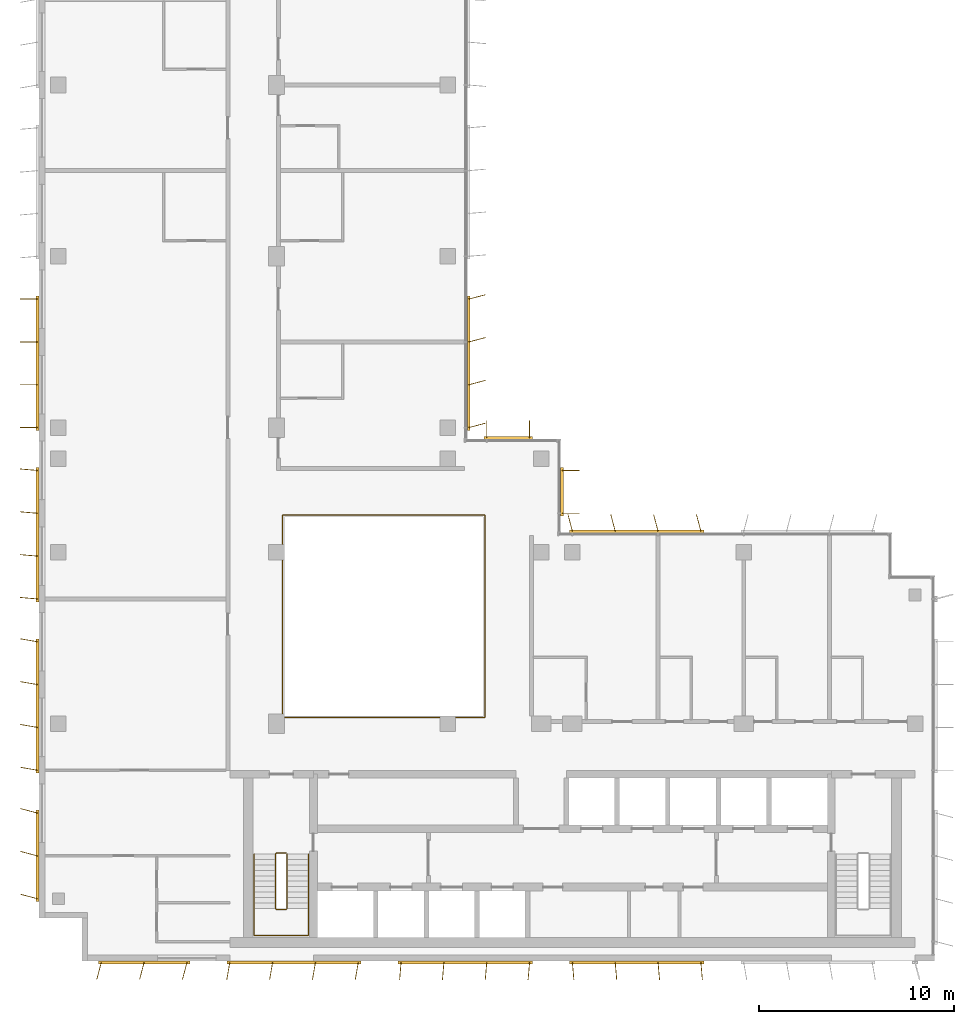
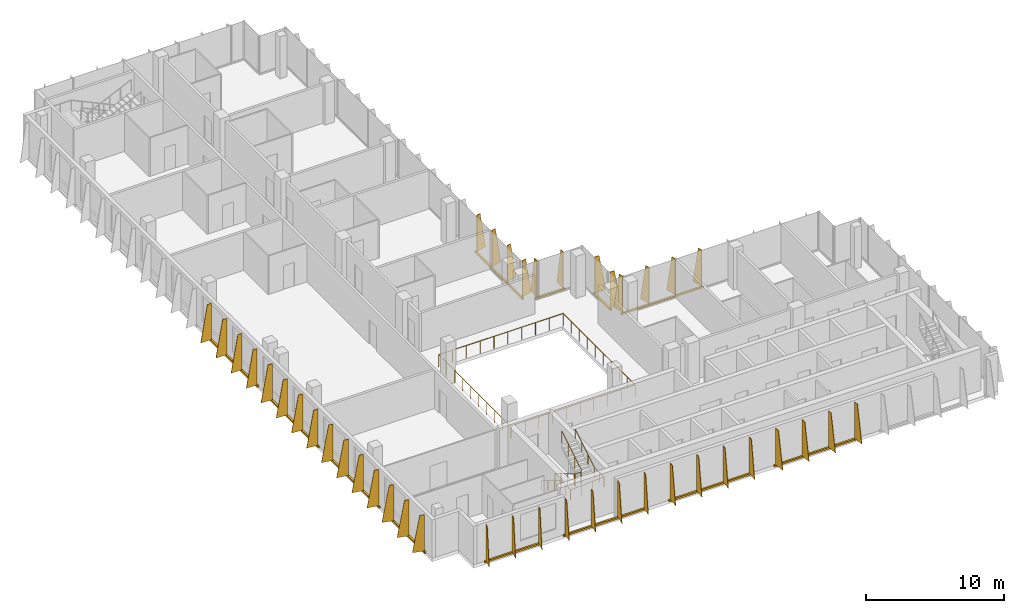
# One storey, part 13 of 15: 12 shading devices, 3 railings.
"""IFC4 building model written with IfcOpenShell, lengths in metres."""

from ifc_helpers import new_model, si_unit, direction, frame, origin, origin_2d, place, context, subcontext, project, spatial, polyline, rectangle, circle, outline, extrude, source, transform, mapped, material, layer, layer_set, type_object, element, save


model = new_model("IFC4")

# Units and contexts
model_context = context("Model", 3, precision=1e-05, world=origin(), true_north=direction((0.0, 1.0)))
body_context = subcontext(model_context, "Body", "Model", "MODEL_VIEW")
ifc_project = project(units=[si_unit("LENGTHUNIT", "METRE"), si_unit("AREAUNIT", "SQUARE_METRE"), si_unit("VOLUMEUNIT", "CUBIC_METRE"), si_unit("PLANEANGLEUNIT", "RADIAN"), si_unit("MASSUNIT", "GRAM", prefix="KILO")], contexts=[model_context])

# Site, building, storey
site_placement = place(None, origin())
site = spatial("IfcSite", under=ifc_project, at=site_placement, CompositionType="ELEMENT")
building_placement = place(site_placement, origin())
building = spatial("IfcBuilding", under=site, at=building_placement, Name="Kemantara Hotel Tower", CompositionType="ELEMENT")
storey_placement = place(building_placement, frame((0.0, 0.0, 301.800048828125)))
storey = spatial("IfcBuildingStorey", under=building, at=storey_placement, Name="L76", CompositionType="ELEMENT", Elevation=301.800048828125)

# Railings
ifc_material_1 = material(Name="Stainless steel and laminated glass balustrade", Category="steel")
railing_type_1 = type_object("IfcRailingType", Name="ATRIUM GUARD 1100", PredefinedType="GUARDRAIL", material=ifc_material_1)
railing_1_placement = place(storey_placement, frame((12.56005859375, 12.5, 0.0)))
element("IfcRailing", 1, at=railing_1_placement, inside=storey, type_object=railing_type_1, Name="ATRIUM GUARD L76", PredefinedType="GUARDRAIL", context=body_context, shape_type="SweptSolid", body=[
    extrude(circle(Radius=0.02490234375, at=origin_2d()), frame((0.0, 0.0, 1.0751953125), z_axis=(1.0, 0.0, 0.0), x_axis=(0.0, 1.0, 0.0)), (0.0, 0.0, 1.0), 10.33984375),
    extrude(circle(Radius=0.02490234375, at=origin_2d()), frame((10.33984375, 0.0, 1.0751953125), z_axis=(0.0, 1.0, 0.0), x_axis=(-1.0, 0.0, 0.0)), (0.0, 0.0, 1.0), 10.39990234375),
    extrude(circle(Radius=0.02490234375, at=origin_2d()), frame((10.33984375, 10.39990234375, 1.0751953125), z_axis=(-1.0, 0.0, 0.0), x_axis=(0.0, -1.0, 0.0)), (0.0, 0.0, 1.0), 10.39990234375),
    extrude(circle(Radius=0.02490234375, at=origin_2d()), frame((-0.06005859375, 10.39990234375, 1.0751953125), z_axis=(0.0, -1.0, 0.0), x_axis=(1.0, 0.0, 0.0)), (0.0, 0.0, 1.0), 10.39990234375),
    extrude(circle(Radius=0.02001953125, at=origin_2d()), origin(), (0.0, 0.0, 1.0), 1.050048828125),
    extrude(circle(Radius=0.02001953125, at=origin_2d()), frame((1.14892578125, 0.0, 0.0)), (0.0, 0.0, 1.0), 1.050048828125),
    extrude(circle(Radius=0.02001953125, at=origin_2d()), frame((2.2978515625, 0.0, 0.0)), (0.0, 0.0, 1.0), 1.050048828125),
    extrude(circle(Radius=0.02001953125, at=origin_2d()), frame((3.446533203125, 0.0, 0.0)), (0.0, 0.0, 1.0), 1.050048828125),
    extrude(circle(Radius=0.02001953125, at=origin_2d()), frame((4.595458984375, 0.0, 0.0)), (0.0, 0.0, 1.0), 1.050048828125),
    extrude(circle(Radius=0.02001953125, at=origin_2d()), frame((5.744384765625, 0.0, 0.0)), (0.0, 0.0, 1.0), 1.050048828125),
    extrude(circle(Radius=0.02001953125, at=origin_2d()), frame((6.893310546875, 0.0, 0.0)), (0.0, 0.0, 1.0), 1.050048828125),
    extrude(circle(Radius=0.02001953125, at=origin_2d()), frame((8.0419921875, 0.0, 0.0)), (0.0, 0.0, 1.0), 1.050048828125),
    extrude(circle(Radius=0.02001953125, at=origin_2d()), frame((9.19091796875, 0.0, 0.0)), (0.0, 0.0, 1.0), 1.050048828125),
    extrude(circle(Radius=0.02001953125, at=origin_2d()), frame((10.33984375, 0.0, 0.0)), (0.0, 0.0, 1.0), 1.050048828125),
    extrude(circle(Radius=0.02001953125, at=origin_2d()), frame((10.33984375, 1.155517578125, 0.0)), (0.0, 0.0, 1.0), 1.050048828125),
    extrude(circle(Radius=0.02001953125, at=origin_2d()), frame((10.33984375, 2.31103515625, 0.0)), (0.0, 0.0, 1.0), 1.050048828125),
    extrude(circle(Radius=0.02001953125, at=origin_2d()), frame((10.33984375, 3.466552734375, 0.0)), (0.0, 0.0, 1.0), 1.050048828125),
    extrude(circle(Radius=0.02001953125, at=origin_2d()), frame((10.33984375, 4.6220703125, 0.0)), (0.0, 0.0, 1.0), 1.050048828125),
    extrude(circle(Radius=0.02001953125, at=origin_2d()), frame((10.33984375, 5.77783203125, 0.0)), (0.0, 0.0, 1.0), 1.050048828125),
    extrude(circle(Radius=0.02001953125, at=origin_2d()), frame((10.33984375, 6.933349609375, 0.0)), (0.0, 0.0, 1.0), 1.050048828125),
    extrude(circle(Radius=0.02001953125, at=origin_2d()), frame((10.33984375, 8.0888671875, 0.0)), (0.0, 0.0, 1.0), 1.050048828125),
    extrude(circle(Radius=0.02001953125, at=origin_2d()), frame((10.33984375, 9.244384765625, 0.0)), (0.0, 0.0, 1.0), 1.050048828125),
    extrude(circle(Radius=0.02001953125, at=origin_2d()), frame((10.33984375, 10.39990234375, 0.0)), (0.0, 0.0, 1.0), 1.050048828125),
    extrude(circle(Radius=0.02001953125, at=origin_2d()), frame((9.184326171875, 10.39990234375, 0.0)), (0.0, 0.0, 1.0), 1.050048828125),
    extrude(circle(Radius=0.02001953125, at=origin_2d()), frame((8.02880859375, 10.39990234375, 0.0)), (0.0, 0.0, 1.0), 1.050048828125),
    extrude(circle(Radius=0.02001953125, at=origin_2d()), frame((6.873291015625, 10.39990234375, 0.0)), (0.0, 0.0, 1.0), 1.050048828125),
    extrude(circle(Radius=0.02001953125, at=origin_2d()), frame((5.7177734375, 10.39990234375, 0.0)), (0.0, 0.0, 1.0), 1.050048828125),
    extrude(circle(Radius=0.02001953125, at=origin_2d()), frame((4.56201171875, 10.39990234375, 0.0)), (0.0, 0.0, 1.0), 1.050048828125),
    extrude(circle(Radius=0.02001953125, at=origin_2d()), frame((3.406494140625, 10.39990234375, 0.0)), (0.0, 0.0, 1.0), 1.050048828125),
    extrude(circle(Radius=0.02001953125, at=origin_2d()), frame((2.2509765625, 10.39990234375, 0.0)), (0.0, 0.0, 1.0), 1.050048828125),
    extrude(circle(Radius=0.02001953125, at=origin_2d()), frame((1.095458984375, 10.39990234375, 0.0)), (0.0, 0.0, 1.0), 1.050048828125),
    extrude(circle(Radius=0.02001953125, at=origin_2d()), frame((-0.06005859375, 10.39990234375, 0.0)), (0.0, 0.0, 1.0), 1.050048828125),
    extrude(circle(Radius=0.02001953125, at=origin_2d()), frame((-0.06005859375, 9.244384765625, 0.0)), (0.0, 0.0, 1.0), 1.050048828125),
    extrude(circle(Radius=0.02001953125, at=origin_2d()), frame((-0.06005859375, 8.0888671875, 0.0)), (0.0, 0.0, 1.0), 1.050048828125),
    extrude(circle(Radius=0.02001953125, at=origin_2d()), frame((-0.06005859375, 6.933349609375, 0.0)), (0.0, 0.0, 1.0), 1.050048828125),
    extrude(circle(Radius=0.02001953125, at=origin_2d()), frame((-0.06005859375, 5.77783203125, 0.0)), (0.0, 0.0, 1.0), 1.050048828125),
    extrude(circle(Radius=0.02001953125, at=origin_2d()), frame((-0.06005859375, 4.6220703125, 0.0)), (0.0, 0.0, 1.0), 1.050048828125),
    extrude(circle(Radius=0.02001953125, at=origin_2d()), frame((-0.06005859375, 3.466552734375, 0.0)), (0.0, 0.0, 1.0), 1.050048828125),
    extrude(circle(Radius=0.02001953125, at=origin_2d()), frame((-0.06005859375, 2.31103515625, 0.0)), (0.0, 0.0, 1.0), 1.050048828125),
    extrude(circle(Radius=0.02001953125, at=origin_2d()), frame((-0.06005859375, 1.155517578125, 0.0)), (0.0, 0.0, 1.0), 1.050048828125),
    extrude(circle(Radius=0.02001953125, at=origin_2d()), frame((-0.06005859375, 0.0, 0.0)), (0.0, 0.0, 1.0), 1.050048828125),
])
ifc_material_2 = material(Name="Stainless steel balustrade", Category="steel")
railing_type_2 = type_object("IfcRailingType", Name="Stair guard 1100 mm", PredefinedType="GUARDRAIL", material=ifc_material_2)
railing_2_placement = place(storey_placement, frame((12.75, 5.5, 3.699951171875)))
element("IfcRailing", 2, at=railing_2_placement, inside=storey, type_object=railing_type_2, Name="L76 ST1 stair guard 1", PredefinedType="GUARDRAIL", context=body_context, shape_type="SweptSolid", body=[
    extrude(circle(Radius=0.02392578125, at=origin_2d()), frame((0.0, 0.0, 1.076171875), z_axis=(0.0, -0.857242210791, -0.514913383045), x_axis=(1.0, 0.0, 0.0)), (0.0, 0.0, 1.0), 3.266357421875),
    extrude(circle(Radius=0.02392578125, at=origin_2d()), frame((0.0, -2.800048828125, -0.60595703125), z_axis=(-0.274243871929, -0.274243871929, -0.92172696468), x_axis=(0.707106781187, -0.707106781187, 0.0)), (0.0, 0.0, 1.0), 0.1826171875),
    extrude(circle(Radius=0.02392578125, at=origin_2d()), frame((-0.050048828125, -2.85009765625, -0.77392578125), z_axis=(-1.0, 0.0, 0.0), x_axis=(0.0, -1.0, 0.0)), (0.0, 0.0, 1.0), 0.5),
    extrude(circle(Radius=0.02392578125, at=origin_2d()), frame((-0.550048828125, -2.85009765625, -0.77392578125), z_axis=(-0.707106781187, 0.707106781187, 0.0), x_axis=(-0.707106781187, -0.707106781187, 0.0)), (0.0, 0.0, 1.0), 0.07080078125),
    extrude(circle(Radius=0.02392578125, at=origin_2d()), frame((-0.60009765625, -2.800048828125, -0.77392578125), z_axis=(0.0, 0.857275202839, -0.514858452973), x_axis=(-1.0, 0.0, 0.0)), (0.0, 0.0, 1.0), 3.26611328125),
    extrude(circle(Radius=0.02392578125, at=origin_2d()), frame((-0.60009765625, 0.0, -2.45556640625), z_axis=(0.274243871929, 0.274243871929, -0.92172696468), x_axis=(-0.707106781187, 0.707106781187, 0.0)), (0.0, 0.0, 1.0), 0.1826171875),
    extrude(circle(Radius=0.02392578125, at=origin_2d()), frame((-0.550048828125, 0.050048828125, -2.6240234375), z_axis=(1.0, 0.0, 0.0), x_axis=(0.0, 1.0, 0.0)), (0.0, 0.0, 1.0), 0.5),
    extrude(circle(Radius=0.02099609375, at=origin_2d()), origin(), (0.0, 0.0, 1.0), 1.052001953125),
    extrude(circle(Radius=0.02099609375, at=origin_2d()), frame((0.0, -0.933349609375, -0.560546875)), (0.0, 0.0, 1.0), 1.052001953125),
    extrude(circle(Radius=0.02099609375, at=origin_2d()), frame((0.0, -1.86669921875, -1.121337890625)), (0.0, 0.0, 1.0), 1.052001953125),
    extrude(circle(Radius=0.02099609375, at=origin_2d()), frame((0.0, -2.800048828125, -1.681884765625)), (0.0, 0.0, 1.0), 1.052001953125),
    extrude(circle(Radius=0.02099609375, at=origin_2d()), frame((-0.050048828125, -2.85009765625, -1.85009765625)), (0.0, 0.0, 1.0), 1.052001953125),
    extrude(circle(Radius=0.02099609375, at=origin_2d()), frame((-0.550048828125, -2.85009765625, -1.85009765625)), (0.0, 0.0, 1.0), 1.052001953125),
    extrude(circle(Radius=0.02099609375, at=origin_2d()), frame((-0.60009765625, -2.800048828125, -1.85009765625)), (0.0, 0.0, 1.0), 1.052001953125),
    extrude(circle(Radius=0.02099609375, at=origin_2d()), frame((-0.60009765625, -1.86669921875, -2.41064453125)), (0.0, 0.0, 1.0), 1.052001953125),
    extrude(circle(Radius=0.02099609375, at=origin_2d()), frame((-0.60009765625, -0.933349609375, -2.97119140625)), (0.0, 0.0, 1.0), 1.052001953125),
    extrude(circle(Radius=0.02099609375, at=origin_2d()), frame((-0.60009765625, 0.0, -3.53173828125)), (0.0, 0.0, 1.0), 1.052001953125),
    extrude(circle(Radius=0.02099609375, at=origin_2d()), frame((-0.550048828125, 0.050048828125, -3.699951171875)), (0.0, 0.0, 1.0), 1.052001953125),
    extrude(circle(Radius=0.02099609375, at=origin_2d()), frame((-0.050048828125, 0.050048828125, -3.699951171875)), (0.0, 0.0, 1.0), 1.052001953125),
])
railing_type_3 = type_object("IfcRailingType", Name="Stair handrail 900 mm", PredefinedType="HANDRAIL", material=ifc_material_2)
railing_3_placement = place(storey_placement, frame((11.050048828125, 5.5, 0.168212890625)))
element("IfcRailing", 3, at=railing_3_placement, inside=storey, type_object=railing_type_3, Name="L76 ST1 stair handrail 1", PredefinedType="HANDRAIL", context=body_context, shape_type="SweptSolid", body=[
    extrude(circle(Radius=0.02392578125, at=origin_2d()), frame((0.0, 0.0, 0.8759765625), z_axis=(0.0, -0.857275202839, 0.514858452973), x_axis=(1.0, 0.0, 0.0)), (0.0, 0.0, 1.0), 3.26611328125),
    extrude(circle(Radius=0.02392578125, at=origin_2d()), frame((0.0, -2.800048828125, 2.5576171875), z_axis=(0.0, -1.0, 0.0), x_axis=(1.0, 0.0, 0.0)), (0.0, 0.0, 1.0), 1.3798828125),
    extrude(circle(Radius=0.02392578125, at=origin_2d()), frame((0.0, -4.179931640625, 2.5576171875), z_axis=(0.998200367801, 0.0, 0.059966871865), x_axis=(0.0, 1.0, 0.0)), (0.0, 0.0, 1.0), 2.80517578125),
    extrude(circle(Radius=0.02392578125, at=origin_2d()), frame((2.800048828125, -4.179931640625, 2.7255859375), z_axis=(0.0, 1.0, 0.0), x_axis=(-1.0, 0.0, 0.0)), (0.0, 0.0, 1.0), 1.3798828125),
    extrude(circle(Radius=0.02392578125, at=origin_2d()), frame((2.800048828125, -2.800048828125, 2.7255859375), z_axis=(0.0, 0.857242210791, 0.514913383045), x_axis=(-1.0, 0.0, 0.0)), (0.0, 0.0, 1.0), 3.266357421875),
    extrude(circle(Radius=0.02099609375, at=origin_2d()), origin(), (0.0, 0.0, 1.0), 0.851806640625),
    extrude(circle(Radius=0.02099609375, at=origin_2d()), frame((0.0, -0.933349609375, 0.560546875)), (0.0, 0.0, 1.0), 0.851806640625),
    extrude(circle(Radius=0.02099609375, at=origin_2d()), frame((0.0, -1.86669921875, 1.12109375)), (0.0, 0.0, 1.0), 0.851806640625),
    extrude(circle(Radius=0.02099609375, at=origin_2d()), frame((0.0, -2.800048828125, 1.681640625)), (0.0, 0.0, 1.0), 0.851806640625),
    extrude(circle(Radius=0.02099609375, at=origin_2d()), frame((0.0, -3.489990234375, 1.681640625)), (0.0, 0.0, 1.0), 0.851806640625),
    extrude(circle(Radius=0.02099609375, at=origin_2d()), frame((0.0, -4.179931640625, 1.681640625)), (0.0, 0.0, 1.0), 0.851806640625),
    extrude(circle(Radius=0.02099609375, at=origin_2d()), frame((0.933349609375, -4.179931640625, 1.73779296875)), (0.0, 0.0, 1.0), 0.851806640625),
    extrude(circle(Radius=0.02099609375, at=origin_2d()), frame((1.86669921875, -4.179931640625, 1.793701171875)), (0.0, 0.0, 1.0), 0.851806640625),
    extrude(circle(Radius=0.02099609375, at=origin_2d()), frame((2.800048828125, -4.179931640625, 1.849853515625)), (0.0, 0.0, 1.0), 0.851806640625),
    extrude(circle(Radius=0.02099609375, at=origin_2d()), frame((2.800048828125, -3.489990234375, 1.849853515625)), (0.0, 0.0, 1.0), 0.851806640625),
    extrude(circle(Radius=0.02099609375, at=origin_2d()), frame((2.800048828125, -2.800048828125, 1.849853515625)), (0.0, 0.0, 1.0), 0.851806640625),
    extrude(circle(Radius=0.02099609375, at=origin_2d()), frame((2.800048828125, -1.86669921875, 2.410400390625)), (0.0, 0.0, 1.0), 0.851806640625),
    extrude(circle(Radius=0.02099609375, at=origin_2d()), frame((2.800048828125, -0.933349609375, 2.97119140625)), (0.0, 0.0, 1.0), 0.851806640625),
    extrude(circle(Radius=0.02099609375, at=origin_2d()), frame((2.800048828125, 0.0, 3.53173828125)), (0.0, 0.0, 1.0), 0.851806640625),
])

# Shading devices
ifc_material_3 = material(Name="Perforated aluminium plate 4 mm bronze anodised", Category="aluminium")
ifc_layer_1 = layer(ifc_material_3, 0.0400390625)
ifc_layer_set_1 = layer_set([ifc_layer_1], Name="Perforated aluminium plate 4 mm bronze anodised")
shading_device_type_1 = type_object("IfcShadingDeviceType", Name="SCREEN FIN CASSETTE, 3 BLADES AT -15.0 DEG, 3200 HIGH", PredefinedType="USERDEFINED", material=ifc_layer_set_1)
shared_shape_1 = source(origin(), body_context, "Body", "SweptSolid", [
    extrude(rectangle(XDim=4.699951171875, YDim=0.14990234375, at=origin_2d()), frame((2.199951171875, -0.074951171875, -0.14990234375), z_axis=(0.0, 0.0, 1.0), x_axis=(1.0, 0.0, 0.0)), (0.0, 0.0, 1.0), 0.14990234375),
    extrude(outline(polyline([(0.0, 0.0), (0.89990234375, 0.0), (0.35009765625, 3.199951171875), (0.0, 3.199951171875), (0.0, 0.0)])), frame((0.019287109375, -0.080078125, 0.0), z_axis=(-0.966437683387, 0.256901156343, 0.0), x_axis=(-0.256901156343, -0.966437683387, 0.0)), (0.0, 0.0, 1.0), 0.039794921875),
    extrude(outline(polyline([(0.0, 0.0), (0.89990234375, 0.0), (0.35009765625, 3.199951171875), (0.0, 3.199951171875), (0.0, 0.0)])), frame((2.21923828125, -0.080078125, 0.0), z_axis=(-0.966437683387, 0.256901156343, 0.0), x_axis=(-0.256901156343, -0.966437683387, 0.0)), (0.0, 0.0, 1.0), 0.039794921875),
    extrude(outline(polyline([(0.0, 0.0), (0.89990234375, 0.0), (0.35009765625, 3.199951171875), (0.0, 3.199951171875), (0.0, 0.0)])), frame((4.41943359375, -0.080078125, 0.0), z_axis=(-0.966837822169, 0.255391122837, 0.0), x_axis=(-0.255391122837, -0.966837822169, 0.0)), (0.0, 0.0, 1.0), 0.0400390625),
])
for number, where, z_axis, x_axis, name in (
    (4, (0.0, 7.60009765625, 0.099853515625), (0.0, 0.0, 1.0), (0.0, -1.0, 0.0), "SCREEN FIN CASSETTE L76 T4-R05-7"),
    (5, (3.199951171875, 0.0, 0.099853515625), (0.0, 0.0, 1.0), (1.0, 0.0, 0.0), "SCREEN FIN CASSETTE L76 T4-R08-1"),
):
    element("IfcShadingDevice", number, at=place(storey_placement, frame(where, z_axis=z_axis, x_axis=x_axis)), inside=storey, type_object=shading_device_type_1, Name=name, ObjectType="SCREEN FIN", PredefinedType="USERDEFINED", context=body_context, shape_type="MappedRepresentation", body=[
        mapped(shared_shape_1, transform((0.0, 0.0, 0.0))),
    ])
ifc_layer_2 = layer(ifc_material_3, 0.0400390625)
ifc_layer_set_2 = layer_set([ifc_layer_2], Name="Perforated aluminium plate 4 mm bronze anodised")
shading_device_type_2 = type_object("IfcShadingDeviceType", Name="SCREEN FIN CASSETTE, 4 BLADES AT -10.0 DEG, 3200 HIGH", PredefinedType="USERDEFINED", material=ifc_layer_set_2)
shared_shape_2 = source(origin(), body_context, "Body", "SweptSolid", [
    extrude(rectangle(XDim=6.89990234375, YDim=0.14990234375, at=origin_2d()), frame((3.300048828125, -0.074951171875, -0.14990234375), z_axis=(0.0, 0.0, 1.0), x_axis=(1.0, 0.0, 0.0)), (0.0, 0.0, 1.0), 0.14990234375),
    extrude(outline(polyline([(0.0, 0.0), (0.89990234375, 0.0), (0.35009765625, 3.199951171875), (0.0, 3.199951171875), (0.0, 0.0)])), frame((0.019775390625, -0.078369140625, 0.0), z_axis=(-0.985389793052, 0.170314285219, 0.0), x_axis=(-0.170314285219, -0.985389793052, 0.0)), (0.0, 0.0, 1.0), 0.0400390625),
    extrude(outline(polyline([(0.0, 0.0), (0.89990234375, 0.0), (0.35009765625, 3.199951171875), (0.0, 3.199951171875), (0.0, 0.0)])), frame((2.2197265625, -0.078369140625, 0.0), z_axis=(-0.98521175482, 0.171341174751, 0.0), x_axis=(-0.171341174751, -0.98521175482, 0.0)), (0.0, 0.0, 1.0), 0.039794921875),
    extrude(outline(polyline([(0.0, 0.0), (0.89990234375, 0.0), (0.35009765625, 3.199951171875), (0.0, 3.199951171875), (0.0, 0.0)])), frame((4.419677734375, -0.078369140625, 0.0), z_axis=(-0.98521175482, 0.171341174751, 0.0), x_axis=(-0.171341174751, -0.98521175482, 0.0)), (0.0, 0.0, 1.0), 0.039794921875),
    extrude(outline(polyline([(0.0, 0.0), (0.89990234375, 0.0), (0.35009765625, 3.199951171875), (0.0, 3.199951171875), (0.0, 0.0)])), frame((6.61962890625, -0.078369140625, 0.0), z_axis=(-0.98521175482, 0.171341174751, 0.0), x_axis=(-0.171341174751, -0.98521175482, 0.0)), (0.0, 0.0, 1.0), 0.039794921875),
])
for number, where, z_axis, x_axis, name in (
    (6, (0.0, 16.39990234375, 0.099853515625), (0.0, 0.0, 1.0), (0.0, -1.0, 0.0), "SCREEN FIN CASSETTE L76 T4-R05-6"),
    (7, (9.800048828125, 0.0, 0.099853515625), (0.0, 0.0, 1.0), (1.0, 0.0, 0.0), "SCREEN FIN CASSETTE L76 T4-R08-2"),
):
    element("IfcShadingDevice", number, at=place(storey_placement, frame(where, z_axis=z_axis, x_axis=x_axis)), inside=storey, type_object=shading_device_type_2, Name=name, ObjectType="SCREEN FIN", PredefinedType="USERDEFINED", context=body_context, shape_type="MappedRepresentation", body=[
        mapped(shared_shape_2, transform((0.0, 0.0, 0.0))),
    ])
ifc_layer_3 = layer(ifc_material_3, 0.0400390625)
ifc_layer_set_3 = layer_set([ifc_layer_3], Name="Perforated aluminium plate 4 mm bronze anodised")
shading_device_type_3 = type_object("IfcShadingDeviceType", Name="SCREEN FIN CASSETTE, 4 BLADES AT -5.0 DEG, 3200 HIGH", PredefinedType="USERDEFINED", material=ifc_layer_set_3)
shared_shape_3 = source(origin(), body_context, "Body", "SweptSolid", [
    extrude(rectangle(XDim=6.89990234375, YDim=0.14990234375, at=origin_2d()), frame((3.300048828125, -0.074951171875, -0.14990234375), z_axis=(0.0, 0.0, 1.0), x_axis=(1.0, 0.0, 0.0)), (0.0, 0.0, 1.0), 0.14990234375),
    extrude(outline(polyline([(0.0, 0.0), (0.89990234375, 0.0), (0.35009765625, 3.199951171875), (0.0, 3.199951171875), (0.0, 0.0)])), frame((0.02001953125, -0.07666015625, 0.0), z_axis=(-0.996376129781, 0.085056498884, 0.0), x_axis=(-0.085056498884, -0.996376129781, 0.0)), (0.0, 0.0, 1.0), 0.040283203125),
    extrude(outline(polyline([(0.0, 0.0), (0.89990234375, 0.0), (0.35009765625, 3.199951171875), (0.0, 3.199951171875), (0.0, 0.0)])), frame((2.219970703125, -0.07666015625, 0.0), z_axis=(-0.996331773833, 0.085574508182, 0.0), x_axis=(-0.085574508182, -0.996331773833, 0.0)), (0.0, 0.0, 1.0), 0.0400390625),
    extrude(outline(polyline([(0.0, 0.0), (0.89990234375, 0.0), (0.35009765625, 3.199951171875), (0.0, 3.199951171875), (0.0, 0.0)])), frame((4.419921875, -0.07666015625, 0.0), z_axis=(-0.996331773833, 0.085574508182, 0.0), x_axis=(-0.085574508182, -0.996331773833, 0.0)), (0.0, 0.0, 1.0), 0.0400390625),
    extrude(outline(polyline([(0.0, 0.0), (0.89990234375, 0.0), (0.35009765625, 3.199951171875), (0.0, 3.199951171875), (0.0, 0.0)])), frame((6.619873046875, -0.07666015625, 0.0), z_axis=(-0.996331773833, 0.085574508182, 0.0), x_axis=(-0.085574508182, -0.996331773833, 0.0)), (0.0, 0.0, 1.0), 0.0400390625),
])
for number, where, z_axis, x_axis, name in (
    (8, (0.0, 25.199951171875, 0.099853515625), (0.0, 0.0, 1.0), (0.0, -1.0, 0.0), "SCREEN FIN CASSETTE L76 T4-R05-5"),
    (9, (18.60009765625, 0.0, 0.099853515625), (0.0, 0.0, 1.0), (1.0, 0.0, 0.0), "SCREEN FIN CASSETTE L76 T4-R08-3"),
):
    element("IfcShadingDevice", number, at=place(storey_placement, frame(where, z_axis=z_axis, x_axis=x_axis)), inside=storey, type_object=shading_device_type_3, Name=name, ObjectType="SCREEN FIN", PredefinedType="USERDEFINED", context=body_context, shape_type="MappedRepresentation", body=[
        mapped(shared_shape_3, transform((0.0, 0.0, 0.0))),
    ])
ifc_layer_4 = layer(ifc_material_3, 0.0400390625)
ifc_layer_set_4 = layer_set([ifc_layer_4], Name="Perforated aluminium plate 4 mm bronze anodised")
shading_device_type_4 = type_object("IfcShadingDeviceType", Name="SCREEN FIN CASSETTE, 4 BLADES AT +0.0 DEG, 3200 HIGH", PredefinedType="USERDEFINED", material=ifc_layer_set_4)
shared_shape_4 = source(origin(), body_context, "Body", "SweptSolid", [
    extrude(rectangle(XDim=6.89990234375, YDim=0.14990234375, at=origin_2d()), frame((3.300048828125, -0.074951171875, -0.14990234375), z_axis=(0.0, 0.0, 1.0), x_axis=(1.0, 0.0, 0.0)), (0.0, 0.0, 1.0), 0.14990234375),
    extrude(outline(polyline([(0.0, 0.0), (0.89990234375, 0.0), (0.35009765625, 3.199951171875), (0.0, 3.199951171875), (0.0, 0.0)])), frame((0.02001953125, -0.074951171875, 0.0), z_axis=(-1.0, 0.0, 0.0), x_axis=(0.0, -1.0, 0.0)), (0.0, 0.0, 1.0), 0.0400390625),
    extrude(outline(polyline([(0.0, 0.0), (0.89990234375, 0.0), (0.35009765625, 3.199951171875), (0.0, 3.199951171875), (0.0, 0.0)])), frame((2.219970703125, -0.074951171875, 0.0), z_axis=(-1.0, 0.0, 0.0), x_axis=(0.0, -1.0, 0.0)), (0.0, 0.0, 1.0), 0.0400390625),
    extrude(outline(polyline([(0.0, 0.0), (0.89990234375, 0.0), (0.35009765625, 3.199951171875), (0.0, 3.199951171875), (0.0, 0.0)])), frame((4.419921875, -0.074951171875, 0.0), z_axis=(-1.0, 0.0, 0.0), x_axis=(0.0, -1.0, 0.0)), (0.0, 0.0, 1.0), 0.0400390625),
    extrude(outline(polyline([(0.0, 0.0), (0.89990234375, 0.0), (0.35009765625, 3.199951171875), (0.0, 3.199951171875), (0.0, 0.0)])), frame((6.6201171875, -0.074951171875, 0.0), z_axis=(-1.0, 0.0, 0.0), x_axis=(0.0, -1.0, 0.0)), (0.0, 0.0, 1.0), 0.0400390625),
])
shading_device_1_placement = place(storey_placement, frame((0.0, 34.0, 0.099853515625), z_axis=(0.0, 0.0, 1.0), x_axis=(0.0, -1.0, 0.0)))
element("IfcShadingDevice", 10, at=shading_device_1_placement, inside=storey, type_object=shading_device_type_4, Name="SCREEN FIN CASSETTE L76 T4-R05-4", ObjectType="SCREEN FIN", PredefinedType="USERDEFINED", context=body_context, shape_type="MappedRepresentation", body=[
    mapped(shared_shape_4, transform((0.0, 0.0, 0.0))),
])
ifc_layer_5 = layer(ifc_material_3, 0.0400390625)
ifc_layer_set_5 = layer_set([ifc_layer_5], Name="Perforated aluminium plate 4 mm bronze anodised")
shading_device_type_5 = type_object("IfcShadingDeviceType", Name="SCREEN FIN CASSETTE, 4 BLADES AT +5.0 DEG, 3200 HIGH", PredefinedType="USERDEFINED", material=ifc_layer_set_5)
shared_shape_5 = source(origin(), body_context, "Body", "SweptSolid", [
    extrude(rectangle(XDim=6.89990234375, YDim=0.14990234375, at=origin_2d()), frame((3.300048828125, -0.074951171875, -0.14990234375), z_axis=(0.0, 0.0, 1.0), x_axis=(1.0, 0.0, 0.0)), (0.0, 0.0, 1.0), 0.14990234375),
    extrude(outline(polyline([(0.0, 0.0), (0.89990234375, 0.0), (0.35009765625, 3.199951171875), (0.0, 3.199951171875), (0.0, 0.0)])), frame((0.02001953125, -0.0732421875, 0.0), z_axis=(-0.996376129781, -0.085056498884, 0.0), x_axis=(0.085056498884, -0.996376129781, 0.0)), (0.0, 0.0, 1.0), 0.040283203125),
    extrude(outline(polyline([(0.0, 0.0), (0.89990234375, 0.0), (0.35009765625, 3.199951171875), (0.0, 3.199951171875), (0.0, 0.0)])), frame((2.219970703125, -0.0732421875, 0.0), z_axis=(-0.996331773833, -0.085574508182, 0.0), x_axis=(0.085574508182, -0.996331773833, 0.0)), (0.0, 0.0, 1.0), 0.0400390625),
    extrude(outline(polyline([(0.0, 0.0), (0.89990234375, 0.0), (0.35009765625, 3.199951171875), (0.0, 3.199951171875), (0.0, 0.0)])), frame((4.419921875, -0.0732421875, 0.0), z_axis=(-0.996331773833, -0.085574508182, 0.0), x_axis=(0.085574508182, -0.996331773833, 0.0)), (0.0, 0.0, 1.0), 0.0400390625),
    extrude(outline(polyline([(0.0, 0.0), (0.89990234375, 0.0), (0.35009765625, 3.199951171875), (0.0, 3.199951171875), (0.0, 0.0)])), frame((6.619873046875, -0.0732421875, 0.0), z_axis=(-0.996331773833, -0.085574508182, 0.0), x_axis=(0.085574508182, -0.996331773833, 0.0)), (0.0, 0.0, 1.0), 0.0400390625),
])
shading_device_2_placement = place(storey_placement, frame((27.39990234375, 0.0, 0.099853515625), z_axis=(0.0, 0.0, 1.0), x_axis=(1.0, 0.0, 0.0)))
element("IfcShadingDevice", 11, at=shading_device_2_placement, inside=storey, type_object=shading_device_type_5, Name="SCREEN FIN CASSETTE L76 T4-R08-4", ObjectType="SCREEN FIN", PredefinedType="USERDEFINED", context=body_context, shape_type="MappedRepresentation", body=[
    mapped(shared_shape_5, transform((0.0, 0.0, 0.0))),
])
ifc_layer_6 = layer(ifc_material_3, 0.0400390625)
ifc_layer_set_6 = layer_set([ifc_layer_6], Name="Perforated aluminium plate 4 mm bronze anodised")
shading_device_type_6 = type_object("IfcShadingDeviceType", Name="SCREEN FIN CASSETTE, 4 BLADES AT +15.0 DEG, 3200 HIGH", PredefinedType="USERDEFINED", material=ifc_layer_set_6)
shared_shape_6 = source(origin(), body_context, "Body", "SweptSolid", [
    extrude(rectangle(XDim=6.89990234375, YDim=0.14990234375, at=origin_2d()), frame((3.300048828125, -0.074951171875, -0.14990234375), z_axis=(0.0, 0.0, 1.0), x_axis=(1.0, 0.0, 0.0)), (0.0, 0.0, 1.0), 0.14990234375),
    extrude(outline(polyline([(0.0, 0.0), (0.89990234375, 0.0), (0.35009765625, 3.199951171875), (0.0, 3.199951171875), (0.0, 0.0)])), frame((0.019287109375, -0.06982421875, 0.0), z_axis=(-0.966437683387, -0.256901156343, 0.0), x_axis=(0.256901156343, -0.966437683387, 0.0)), (0.0, 0.0, 1.0), 0.039794921875),
    extrude(outline(polyline([(0.0, 0.0), (0.89990234375, 0.0), (0.35009765625, 3.199951171875), (0.0, 3.199951171875), (0.0, 0.0)])), frame((2.21923828125, -0.06982421875, 0.0), z_axis=(-0.966437683387, -0.256901156343, 0.0), x_axis=(0.256901156343, -0.966437683387, 0.0)), (0.0, 0.0, 1.0), 0.039794921875),
    extrude(outline(polyline([(0.0, 0.0), (0.89990234375, 0.0), (0.35009765625, 3.199951171875), (0.0, 3.199951171875), (0.0, 0.0)])), frame((4.41943359375, -0.06982421875, 0.0), z_axis=(-0.966837822169, -0.255391122837, 0.0), x_axis=(0.255391122837, -0.966837822169, 0.0)), (0.0, 0.0, 1.0), 0.0400390625),
    extrude(outline(polyline([(0.0, 0.0), (0.89990234375, 0.0), (0.35009765625, 3.199951171875), (0.0, 3.199951171875), (0.0, 0.0)])), frame((6.619384765625, -0.06982421875, 0.0), z_axis=(-0.966837822169, -0.255391122837, 0.0), x_axis=(0.255391122837, -0.966837822169, 0.0)), (0.0, 0.0, 1.0), 0.0400390625),
])
for number, where, z_axis, x_axis, name in (
    (12, (34.0, 22.0, 0.099853515625), (0.0, 0.0, 1.0), (-1.0, 0.0, 0.0), "SCREEN FIN CASSETTE L76 T4-R12-2"),
    (13, (22.0, 27.39990234375, 0.099853515625), (0.0, 0.0, 1.0), (0.0, 1.0, 0.0), "SCREEN FIN CASSETTE L76 T4-R15-1"),
):
    element("IfcShadingDevice", number, at=place(storey_placement, frame(where, z_axis=z_axis, x_axis=x_axis)), inside=storey, type_object=shading_device_type_6, Name=name, ObjectType="SCREEN FIN", PredefinedType="USERDEFINED", context=body_context, shape_type="MappedRepresentation", body=[
        mapped(shared_shape_6, transform((0.0, 0.0, 0.0))),
    ])
ifc_layer_7 = layer(ifc_material_3, 0.0400390625)
ifc_layer_set_7 = layer_set([ifc_layer_7], Name="Perforated aluminium plate 4 mm bronze anodised")
shading_device_type_7 = type_object("IfcShadingDeviceType", Name="SCREEN FIN CASSETTE, 2 BLADES AT +0.0 DEG, 3200 HIGH", PredefinedType="USERDEFINED", material=ifc_layer_set_7)
shared_shape_7 = source(origin(), body_context, "Body", "SweptSolid", [
    extrude(rectangle(XDim=2.5, YDim=0.14990234375, at=origin_2d()), frame((1.10009765625, -0.074951171875, -0.14990234375), z_axis=(0.0, 0.0, 1.0), x_axis=(1.0, 0.0, 0.0)), (0.0, 0.0, 1.0), 0.14990234375),
    extrude(outline(polyline([(0.0, 0.0), (0.89990234375, 0.0), (0.35009765625, 3.199951171875), (0.0, 3.199951171875), (0.0, 0.0)])), frame((0.02001953125, -0.074951171875, 0.0), z_axis=(-1.0, 0.0, 0.0), x_axis=(0.0, -1.0, 0.0)), (0.0, 0.0, 1.0), 0.0400390625),
    extrude(outline(polyline([(0.0, 0.0), (0.89990234375, 0.0), (0.35009765625, 3.199951171875), (0.0, 3.199951171875), (0.0, 0.0)])), frame((2.219970703125, -0.074951171875, 0.0), z_axis=(-1.0, 0.0, 0.0), x_axis=(0.0, -1.0, 0.0)), (0.0, 0.0, 1.0), 0.0400390625),
])
for number, where, z_axis, x_axis, name in (
    (14, (26.800048828125, 23.0, 0.099853515625), (0.0, 0.0, 1.0), (0.0, 1.0, 0.0), "SCREEN FIN CASSETTE L76 T4-R13-1"),
    (15, (25.199951171875, 26.800048828125, 0.099853515625), (0.0, 0.0, 1.0), (-1.0, 0.0, 0.0), "SCREEN FIN CASSETTE L76 T4-R14-1"),
):
    element("IfcShadingDevice", number, at=place(storey_placement, frame(where, z_axis=z_axis, x_axis=x_axis)), inside=storey, type_object=shading_device_type_7, Name=name, ObjectType="SCREEN FIN", PredefinedType="USERDEFINED", context=body_context, shape_type="MappedRepresentation", body=[
        mapped(shared_shape_7, transform((0.0, 0.0, 0.0))),
    ])

save(model, "model.ifc")
